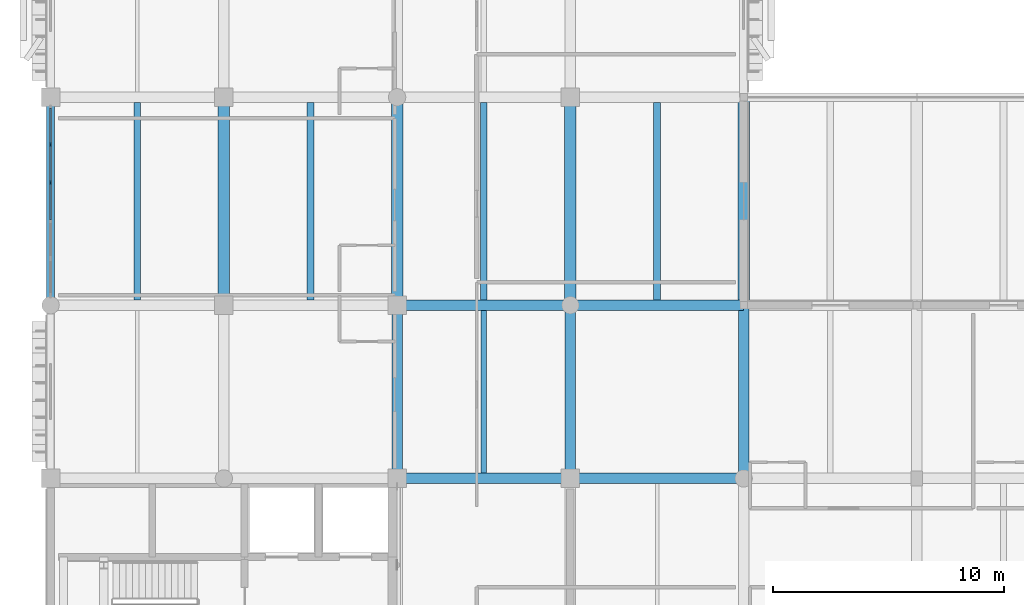
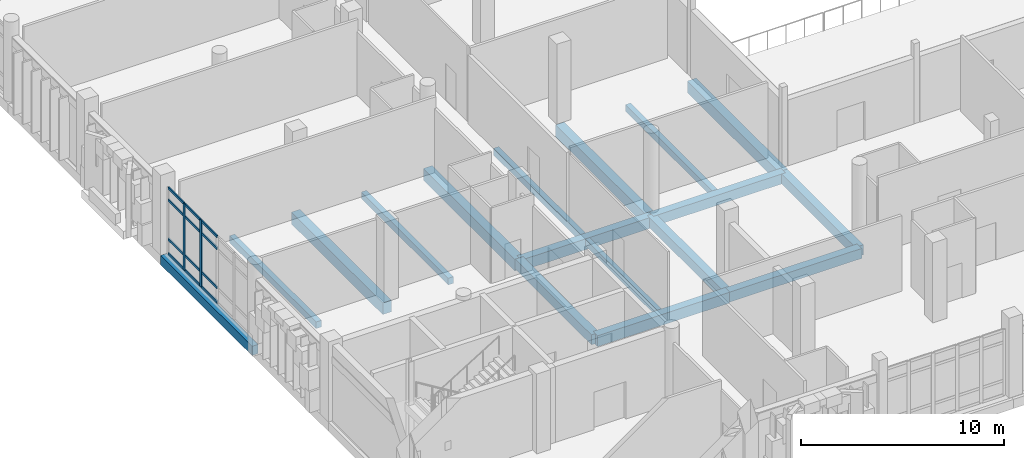
# One storey, part 18 of 131: 17 beams, 14 members, 1 element without a shape of its own.
"""IFC4 building model written with IfcOpenShell, lengths in metres."""

from ifc_helpers import new_model, si_unit, direction, frame, origin, origin_2d, place, context, subcontext, project, spatial, rectangle, extrude, material, layer, layer_set, material_profile, profile_set, type_object, element, aggregate, save


model = new_model("IFC4")

# Units and contexts
model_context = context("Model", 3, precision=1e-05, world=origin(), true_north=direction((0.0, 1.0)))
body_context = subcontext(model_context, "Body", "Model", "MODEL_VIEW")
ifc_project = project(units=[si_unit("LENGTHUNIT", "METRE"), si_unit("AREAUNIT", "SQUARE_METRE"), si_unit("VOLUMEUNIT", "CUBIC_METRE"), si_unit("PLANEANGLEUNIT", "RADIAN"), si_unit("MASSUNIT", "GRAM", prefix="KILO")], contexts=[model_context])

# Site, building, storey
site_placement = place(None, origin())
site = spatial("IfcSite", under=ifc_project, at=site_placement, CompositionType="ELEMENT")
building_placement = place(site_placement, origin())
building = spatial("IfcBuilding", under=site, at=building_placement, Name="Dalvernix Boulevard General Hospital", CompositionType="ELEMENT")
storey_placement = place(building_placement, frame((0.0, 0.0, 9.300048828125)))
storey = spatial("IfcBuildingStorey", under=building, at=storey_placement, Name="L02", CompositionType="ELEMENT", Elevation=9.300048828125)

# Beams
ifc_material_1 = material(Name="Concrete C35/45", Category="concrete")
ifc_material_profile_1 = material_profile(ifc_material_1, rectangle(XDim=0.5, YDim=0.699951171875, at=origin_2d()), Name="RCB 500x700")
ifc_profile_set_1 = profile_set([ifc_material_profile_1], Name="Concrete C35/45")
beam_type_1 = type_object("IfcBeamType", Name="BM-B-01-I", PredefinedType="BEAM", material=ifc_profile_set_1)
for number, where, z_axis, x_axis, name in (
    (1, (7.5, 22.5, -0.670166015625), (0.0, 1.0, 0.0), (-1.0, 0.0, 0.0), "L02 N-S girder 2:D-E"),
    (2, (15.0, 22.5, -0.670166015625), (0.0, 1.0, 0.0), (-1.0, 0.0, 0.0), "L02 N-S girder 3:D-E"),
    (3, (22.5, 22.5, -0.670166015625), (0.0, 1.0, 0.0), (-1.0, 0.0, 0.0), "L02 N-S girder 4:D-E"),
    (4, (30.0, 22.5, -0.670166015625), (0.0, 1.0, 0.0), (-1.0, 0.0, 0.0), "L02 N-S girder 5:D-E"),
):
    element("IfcBeam", number, at=place(storey_placement, frame(where, z_axis=z_axis, x_axis=x_axis)), inside=storey, type_object=beam_type_1, Name=name, PredefinedType="BEAM", context=body_context, shape_type="SweptSolid", body=[
        extrude(rectangle(XDim=0.5, YDim=0.699951171875, at=origin_2d()), origin(), (0.0, 0.0, 1.0), 9.0),
    ])
ifc_material_profile_2 = material_profile(ifc_material_1, rectangle(XDim=0.449951171875, YDim=0.64990234375, at=origin_2d()), Name="RCB 450x650")
ifc_profile_set_2 = profile_set([ifc_material_profile_2], Name="Concrete C35/45")
beam_type_2 = type_object("IfcBeamType", Name="BM-B-03-I", PredefinedType="BEAM", material=ifc_profile_set_2)
for number, where, z_axis, x_axis, name in (
    (5, (15.0, 15.0, -0.64501953125), (1.0, 0.0, 0.0), (0.0, 1.0, 0.0), "L02 E-W girder C:3-4"),
    (6, (15.0, 22.5, -0.64501953125), (1.0, 0.0, 0.0), (0.0, 1.0, 0.0), "L02 E-W girder D:3-4"),
):
    element("IfcBeam", number, at=place(storey_placement, frame(where, z_axis=z_axis, x_axis=x_axis)), inside=storey, type_object=beam_type_2, Name=name, PredefinedType="BEAM", context=body_context, shape_type="SweptSolid", body=[
        extrude(rectangle(XDim=0.449951171875, YDim=0.64990234375, at=origin_2d()), origin(), (0.0, 0.0, 1.0), 7.5),
    ])
ifc_material_profile_3 = material_profile(ifc_material_1, rectangle(XDim=0.449951171875, YDim=0.60009765625, at=origin_2d()), Name="RCB 450x600")
ifc_profile_set_3 = profile_set([ifc_material_profile_3], Name="Concrete C35/45")
beam_type_3 = type_object("IfcBeamType", Name="BM-B-04-I", PredefinedType="BEAM", material=ifc_profile_set_3)
for number, where, z_axis, x_axis, name in (
    (7, (22.5, 15.0, -0.6201171875), (1.0, 0.0, 0.0), (0.0, 1.0, 0.0), "L02 E-W girder C:4-5"),
    (8, (22.5, 22.5, -0.6201171875), (1.0, 0.0, 0.0), (0.0, 1.0, 0.0), "L02 E-W girder D:4-5"),
    (9, (15.0, 15.0, -0.6201171875), (0.0, 1.0, 0.0), (-1.0, 0.0, 0.0), "L02 N-S girder 3:C-D"),
    (10, (22.5, 15.0, -0.6201171875), (0.0, 1.0, 0.0), (-1.0, 0.0, 0.0), "L02 N-S girder 4:C-D"),
    (11, (30.0, 15.0, -0.6201171875), (0.0, 1.0, 0.0), (-1.0, 0.0, 0.0), "L02 N-S girder 5:C-D"),
):
    element("IfcBeam", number, at=place(storey_placement, frame(where, z_axis=z_axis, x_axis=x_axis)), inside=storey, type_object=beam_type_3, Name=name, PredefinedType="BEAM", context=body_context, shape_type="SweptSolid", body=[
        extrude(rectangle(XDim=0.449951171875, YDim=0.60009765625, at=origin_2d()), origin(), (0.0, 0.0, 1.0), 7.5),
    ])
ifc_material_profile_4 = material_profile(ifc_material_1, rectangle(XDim=0.300048828125, YDim=0.39990234375, at=origin_2d()), Name="RCB 300x400")
ifc_profile_set_4 = profile_set([ifc_material_profile_4], Name="Concrete C35/45")
beam_type_4 = type_object("IfcBeamType", Name="BM-JB-01", PredefinedType="JOIST", material=ifc_profile_set_4)
for number, where, z_axis, x_axis, name in (
    (12, (3.75, 22.72509765625, -0.52001953125), (0.0, 1.0, 0.0), (-1.0, 0.0, 0.0), "L02 secondary floor beam 1-D"),
    (13, (11.25, 22.72509765625, -0.52001953125), (0.0, 1.0, 0.0), (-1.0, 0.0, 0.0), "L02 secondary floor beam 2-D"),
    (14, (18.75, 22.72509765625, -0.52001953125), (0.0, 1.0, 0.0), (-1.0, 0.0, 0.0), "L02 secondary floor beam 3-D"),
    (15, (26.25, 22.72509765625, -0.52001953125), (0.0, 1.0, 0.0), (-1.0, 0.0, 0.0), "L02 secondary floor beam 4-D"),
):
    element("IfcBeam", number, at=place(storey_placement, frame(where, z_axis=z_axis, x_axis=x_axis)), inside=storey, type_object=beam_type_4, Name=name, PredefinedType="JOIST", context=body_context, shape_type="SweptSolid", body=[
        extrude(rectangle(XDim=0.300048828125, YDim=0.39990234375, at=origin_2d()), origin(), (0.0, 0.0, 1.0), 8.5498046875),
    ])
ifc_material_profile_5 = material_profile(ifc_material_1, rectangle(XDim=0.25, YDim=0.39990234375, at=origin_2d()), Name="RCB 250x400")
ifc_profile_set_5 = profile_set([ifc_material_profile_5], Name="Concrete C35/45")
beam_type_5 = type_object("IfcBeamType", Name="BM-JB-02", PredefinedType="JOIST", material=ifc_profile_set_5)
beam_1_placement = place(storey_placement, frame((18.75, 15.22509765625, -0.52001953125), z_axis=(0.0, 1.0, 0.0), x_axis=(-1.0, 0.0, 0.0)))
element("IfcBeam", 16, at=beam_1_placement, inside=storey, type_object=beam_type_5, Name="L02 secondary floor beam 3-C", PredefinedType="JOIST", context=body_context, shape_type="SweptSolid", body=[
    extrude(rectangle(XDim=0.25, YDim=0.39990234375, at=origin_2d()), origin(), (0.0, 0.0, 1.0), 7.0498046875),
])
ifc_material_profile_6 = material_profile(ifc_material_1, rectangle(XDim=0.35009765625, YDim=0.550048828125, at=origin_2d()), Name="RCB 350x550")
ifc_profile_set_6 = profile_set([ifc_material_profile_6], Name="Concrete C35/45")
beam_type_6 = type_object("IfcBeamType", Name="BM-SB-01-E", PredefinedType="SPANDREL", material=ifc_profile_set_6)
beam_2_placement = place(storey_placement, frame((0.0, 22.5, -0.594970703125), z_axis=(0.0, 1.0, 0.0), x_axis=(-1.0, 0.0, 0.0)))
element("IfcBeam", 17, at=beam_2_placement, inside=storey, type_object=beam_type_6, Name="L02 N-S girder 1:D-E", PredefinedType="SPANDREL", context=body_context, shape_type="SweptSolid", body=[
    extrude(rectangle(XDim=0.35009765625, YDim=0.550048828125, at=origin_2d()), origin(), (0.0, 0.0, 1.0), 9.0),
])

# Curtain wall, members
ifc_material_2 = material(Name="Thermally broken aluminium and solar-control glass curtain wall", Category="aluminium")
ifc_layer = layer(ifc_material_2, 0.199951171875)
ifc_layer_set = layer_set([ifc_layer], Name="Thermally broken aluminium and solar-control glass curtain wall (CW-CW-C-82x40)")
curtain_wall_type = type_object("IfcCurtainWallType", Name="CW-CW-C-82x40", PredefinedType="USERDEFINED", material=ifc_layer_set)
curtain_wall_placement = place(storey_placement, origin())
curtain_wall = element("IfcCurtainWall", 18, at=curtain_wall_placement, inside=storey, type_object=curtain_wall_type, Name="L02 curtain wall CW-C-82x40 0-3", ObjectType="GLAZED FACADE", PredefinedType="USERDEFINED")
ifc_material_3 = material(Name="Aluminium EN AW-6060", Category="aluminium")
ifc_material_profile_7 = material_profile(ifc_material_3, rectangle(XDim=0.070068359375, YDim=0.199951171875, at=origin_2d()), Name="ALU MULL 70x200")
ifc_profile_set_7 = profile_set([ifc_material_profile_7], Name="Aluminium EN AW-6060")
member_type_1 = type_object("IfcMemberType", Name="MEM-CW-M3", PredefinedType="MULLION", material=ifc_profile_set_7)
member_1_placement = place(storey_placement, frame((0.0, 27.80810546875, 0.0), z_axis=(0.0, 0.0, 1.0), x_axis=(-1.0, 0.0, 0.0)))
member_1 = element("IfcMember", 19, at=member_1_placement, type_object=member_type_1, Name="CW-C-82x40 mullion 4", PredefinedType="MULLION", context=body_context, shape_type="SweptSolid", body=[
    extrude(rectangle(XDim=0.070068359375, YDim=0.199951171875, at=origin_2d()), origin(), (0.0, 0.0, 1.0), 4.0),
])
member_2_placement = place(storey_placement, frame((0.0, 29.448974609375, 0.0), z_axis=(0.0, 0.0, 1.0), x_axis=(-1.0, 0.0, 0.0)))
member_2 = element("IfcMember", 20, at=member_2_placement, type_object=member_type_1, Name="CW-C-82x40 mullion 5", PredefinedType="MULLION", context=body_context, shape_type="SweptSolid", body=[
    extrude(rectangle(XDim=0.070068359375, YDim=0.199951171875, at=origin_2d()), origin(), (0.0, 0.0, 1.0), 4.0),
])
ifc_material_profile_8 = material_profile(ifc_material_3, rectangle(XDim=0.070068359375, YDim=0.14990234375, at=origin_2d()), Name="ALU TRAN 70x150")
ifc_profile_set_8 = profile_set([ifc_material_profile_8], Name="Aluminium EN AW-6060")
member_type_2 = type_object("IfcMemberType", Name="MEM-CW-T3", PredefinedType="USERDEFINED", material=ifc_profile_set_8)
member_3_placement = place(storey_placement, frame((0.0, 26.201904296875, 0.034912109375), z_axis=(0.0, 1.0, 0.0), x_axis=(-1.0, 0.0, 0.0)))
member_3 = element("IfcMember", 21, at=member_3_placement, type_object=member_type_2, Name="CW-C-82x40 transom 3.1", ObjectType="TRANSOM", PredefinedType="USERDEFINED", context=body_context, shape_type="SweptSolid", body=[
    extrude(rectangle(XDim=0.070068359375, YDim=0.14990234375, at=origin_2d()), origin(), (0.0, 0.0, 1.0), 1.571044921875),
])
member_4_placement = place(storey_placement, frame((0.0, 26.201904296875, 0.89990234375), z_axis=(0.0, 1.0, 0.0), x_axis=(-1.0, 0.0, 0.0)))
member_4 = element("IfcMember", 22, at=member_4_placement, type_object=member_type_2, Name="CW-C-82x40 transom 3.2", ObjectType="TRANSOM", PredefinedType="USERDEFINED", context=body_context, shape_type="SweptSolid", body=[
    extrude(rectangle(XDim=0.070068359375, YDim=0.14990234375, at=origin_2d()), origin(), (0.0, 0.0, 1.0), 1.571044921875),
])
member_5_placement = place(storey_placement, frame((0.0, 26.201904296875, 3.25), z_axis=(0.0, 1.0, 0.0), x_axis=(-1.0, 0.0, 0.0)))
member_5 = element("IfcMember", 23, at=member_5_placement, type_object=member_type_2, Name="CW-C-82x40 transom 3.3", ObjectType="TRANSOM", PredefinedType="USERDEFINED", context=body_context, shape_type="SweptSolid", body=[
    extrude(rectangle(XDim=0.070068359375, YDim=0.14990234375, at=origin_2d()), origin(), (0.0, 0.0, 1.0), 1.571044921875),
])
member_6_placement = place(storey_placement, frame((0.0, 26.201904296875, 3.96484375), z_axis=(0.0, 1.0, 0.0), x_axis=(-1.0, 0.0, 0.0)))
member_6 = element("IfcMember", 24, at=member_6_placement, type_object=member_type_2, Name="CW-C-82x40 transom 3.4", ObjectType="TRANSOM", PredefinedType="USERDEFINED", context=body_context, shape_type="SweptSolid", body=[
    extrude(rectangle(XDim=0.070068359375, YDim=0.14990234375, at=origin_2d()), origin(), (0.0, 0.0, 1.0), 1.571044921875),
])
member_7_placement = place(storey_placement, frame((0.0, 27.843017578125, 0.034912109375), z_axis=(0.0, 1.0, 0.0), x_axis=(-1.0, 0.0, 0.0)))
member_7 = element("IfcMember", 25, at=member_7_placement, type_object=member_type_2, Name="CW-C-82x40 transom 4.1", ObjectType="TRANSOM", PredefinedType="USERDEFINED", context=body_context, shape_type="SweptSolid", body=[
    extrude(rectangle(XDim=0.070068359375, YDim=0.14990234375, at=origin_2d()), origin(), (0.0, 0.0, 1.0), 1.571044921875),
])
member_8_placement = place(storey_placement, frame((0.0, 27.843017578125, 0.89990234375), z_axis=(0.0, 1.0, 0.0), x_axis=(-1.0, 0.0, 0.0)))
member_8 = element("IfcMember", 26, at=member_8_placement, type_object=member_type_2, Name="CW-C-82x40 transom 4.2", ObjectType="TRANSOM", PredefinedType="USERDEFINED", context=body_context, shape_type="SweptSolid", body=[
    extrude(rectangle(XDim=0.070068359375, YDim=0.14990234375, at=origin_2d()), origin(), (0.0, 0.0, 1.0), 1.571044921875),
])
member_9_placement = place(storey_placement, frame((0.0, 27.843017578125, 3.25), z_axis=(0.0, 1.0, 0.0), x_axis=(-1.0, 0.0, 0.0)))
member_9 = element("IfcMember", 27, at=member_9_placement, type_object=member_type_2, Name="CW-C-82x40 transom 4.3", ObjectType="TRANSOM", PredefinedType="USERDEFINED", context=body_context, shape_type="SweptSolid", body=[
    extrude(rectangle(XDim=0.070068359375, YDim=0.14990234375, at=origin_2d()), origin(), (0.0, 0.0, 1.0), 1.571044921875),
])
member_10_placement = place(storey_placement, frame((0.0, 27.843017578125, 3.96484375), z_axis=(0.0, 1.0, 0.0), x_axis=(-1.0, 0.0, 0.0)))
member_10 = element("IfcMember", 28, at=member_10_placement, type_object=member_type_2, Name="CW-C-82x40 transom 4.4", ObjectType="TRANSOM", PredefinedType="USERDEFINED", context=body_context, shape_type="SweptSolid", body=[
    extrude(rectangle(XDim=0.070068359375, YDim=0.14990234375, at=origin_2d()), origin(), (0.0, 0.0, 1.0), 1.571044921875),
])
member_11_placement = place(storey_placement, frame((0.0, 29.48388671875, 0.034912109375), z_axis=(0.0, 1.0, 0.0), x_axis=(-1.0, 0.0, 0.0)))
member_11 = element("IfcMember", 29, at=member_11_placement, type_object=member_type_2, Name="CW-C-82x40 transom 5.1", ObjectType="TRANSOM", PredefinedType="USERDEFINED", context=body_context, shape_type="SweptSolid", body=[
    extrude(rectangle(XDim=0.070068359375, YDim=0.14990234375, at=origin_2d()), origin(), (0.0, 0.0, 1.0), 1.5361328125),
])
member_12_placement = place(storey_placement, frame((0.0, 29.48388671875, 0.89990234375), z_axis=(0.0, 1.0, 0.0), x_axis=(-1.0, 0.0, 0.0)))
member_12 = element("IfcMember", 30, at=member_12_placement, type_object=member_type_2, Name="CW-C-82x40 transom 5.2", ObjectType="TRANSOM", PredefinedType="USERDEFINED", context=body_context, shape_type="SweptSolid", body=[
    extrude(rectangle(XDim=0.070068359375, YDim=0.14990234375, at=origin_2d()), origin(), (0.0, 0.0, 1.0), 1.5361328125),
])
member_13_placement = place(storey_placement, frame((0.0, 29.48388671875, 3.25), z_axis=(0.0, 1.0, 0.0), x_axis=(-1.0, 0.0, 0.0)))
member_13 = element("IfcMember", 31, at=member_13_placement, type_object=member_type_2, Name="CW-C-82x40 transom 5.3", ObjectType="TRANSOM", PredefinedType="USERDEFINED", context=body_context, shape_type="SweptSolid", body=[
    extrude(rectangle(XDim=0.070068359375, YDim=0.14990234375, at=origin_2d()), origin(), (0.0, 0.0, 1.0), 1.5361328125),
])
member_14_placement = place(storey_placement, frame((0.0, 29.48388671875, 3.96484375), z_axis=(0.0, 1.0, 0.0), x_axis=(-1.0, 0.0, 0.0)))
member_14 = element("IfcMember", 32, at=member_14_placement, type_object=member_type_2, Name="CW-C-82x40 transom 5.4", ObjectType="TRANSOM", PredefinedType="USERDEFINED", context=body_context, shape_type="SweptSolid", body=[
    extrude(rectangle(XDim=0.070068359375, YDim=0.14990234375, at=origin_2d()), origin(), (0.0, 0.0, 1.0), 1.5361328125),
])
aggregate(curtain_wall, [member_1, member_2, member_3, member_4, member_5, member_6, member_7, member_8, member_9, member_10, member_11, member_12, member_13, member_14])

save(model, "model.ifc")
